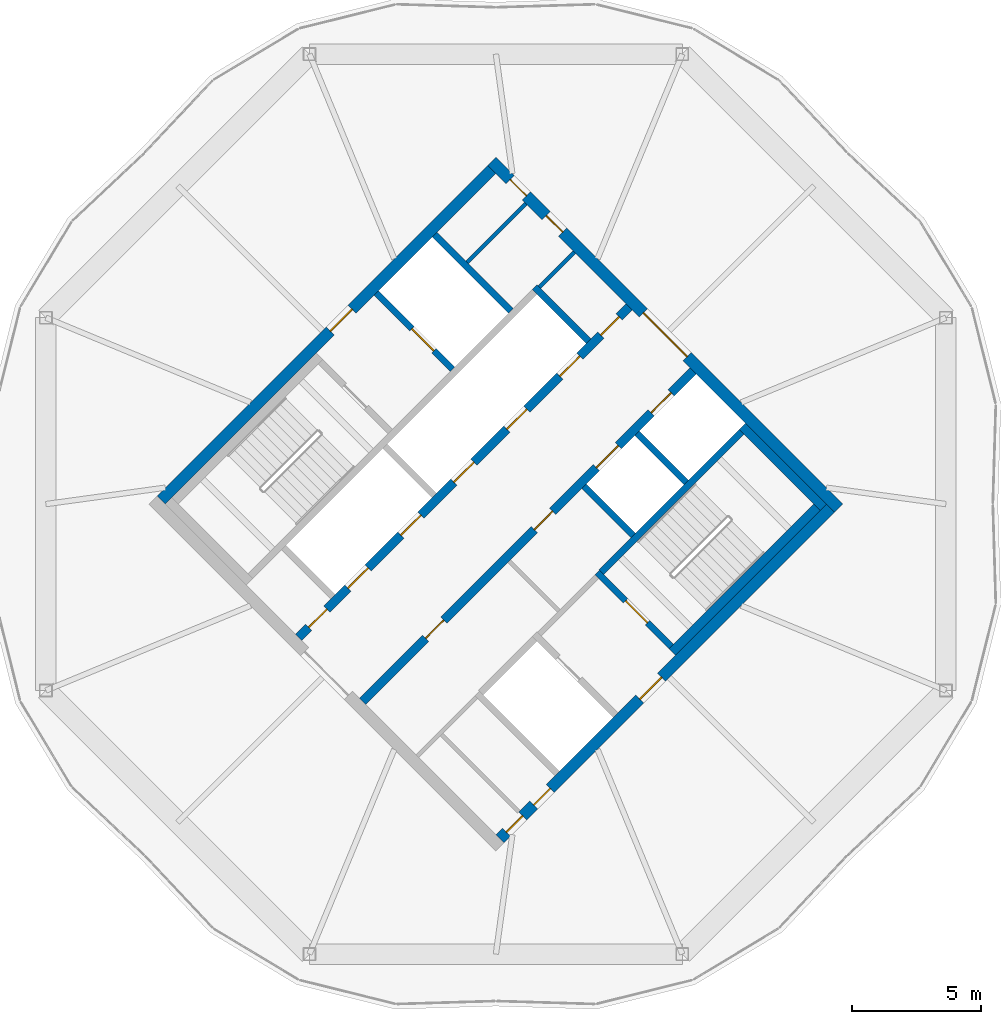
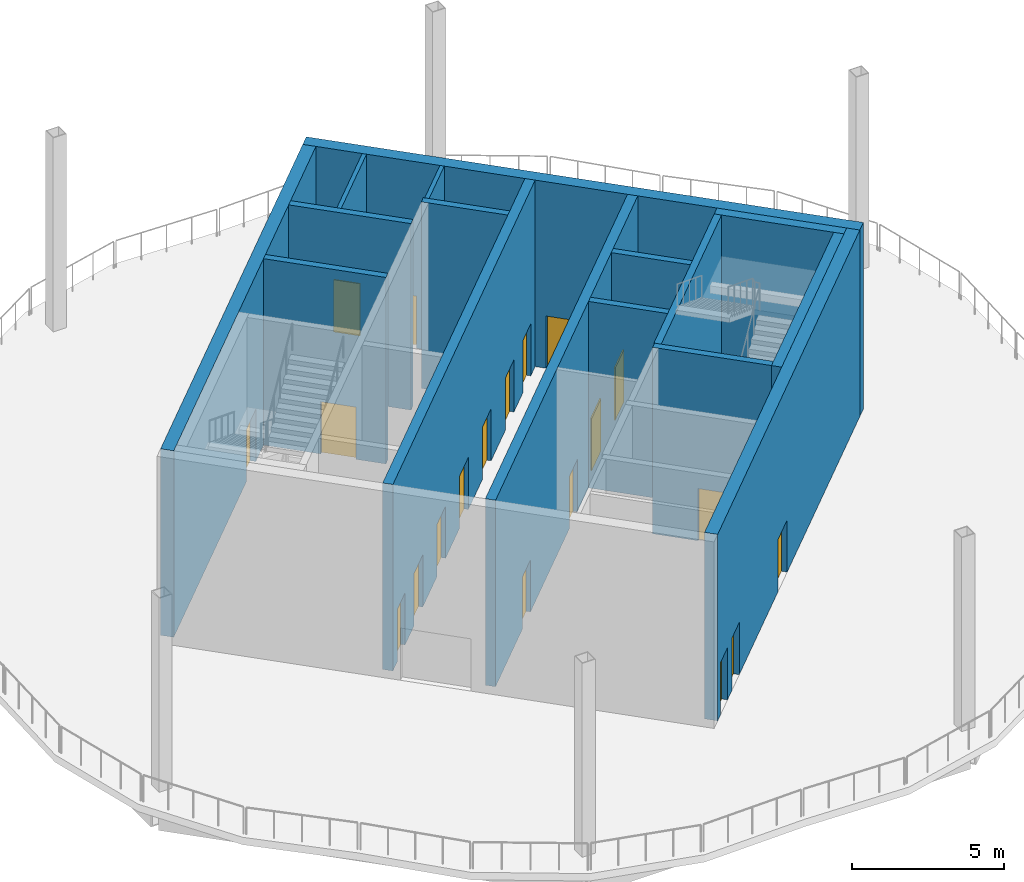
# One storey, part 7 of 12: 20 doors, 16 walls, 20 openings.
"""IFC4 building model written with IfcOpenShell, lengths in metres."""

from ifc_helpers import new_model, si_unit, direction, frame, frame_2d, origin, place, context, subcontext, project, spatial, rectangle, extrude, material, layer, layer_set, type_object, element, fill, save


model = new_model("IFC4")

# Units and contexts
model_context = context("Model", 3, precision=1e-05, world=origin(), true_north=direction((0.0, 1.0)))
body_context = subcontext(model_context, "Body", "Model", "MODEL_VIEW")
ifc_project = project(units=[si_unit("LENGTHUNIT", "METRE"), si_unit("AREAUNIT", "SQUARE_METRE"), si_unit("VOLUMEUNIT", "CUBIC_METRE"), si_unit("PLANEANGLEUNIT", "RADIAN"), si_unit("MASSUNIT", "GRAM", prefix="KILO")], contexts=[model_context])

# Site, building, storey
site_placement = place(None, origin())
site = spatial("IfcSite", under=ifc_project, at=site_placement, CompositionType="ELEMENT")
building_placement = place(site_placement, origin())
building = spatial("IfcBuilding", under=site, at=building_placement, Name="Ogive Gate Towers", CompositionType="ELEMENT")
storey_placement = place(building_placement, frame((0.0, 0.0, 248.39990234375)))
storey = spatial("IfcBuildingStorey", under=building, at=storey_placement, Name="L59", CompositionType="ELEMENT", Elevation=248.39990234375)

# Wall, openings, doors
ifc_material_1 = material(Name="Concrete C60/75", Category="concrete")
ifc_layer_1 = layer(ifc_material_1, 0.449951171875)
ifc_layer_set_1 = layer_set([ifc_layer_1], Name="Core wall 450 mm")
wall_type_1 = type_object("IfcWallType", Name="Core wall 450 mm", PredefinedType="SHEAR", material=ifc_layer_set_1)
wall_1_placement = place(storey_placement, frame((36.1591796875, -12.957763671875, 0.0), z_axis=(0.0, 0.0, 1.0), x_axis=(0.707106781187, 0.707106781187, 0.0)))
wall_1 = element("IfcWall", 1, at=wall_1_placement, inside=storey, type_object=wall_type_1, Name="T2 L59 Core wall 450 mm", PredefinedType="SHEAR", context=body_context, shape_type="SweptSolid", body=[
    extrude(rectangle(XDim=18.099853515625, YDim=0.449951171875, at=frame_2d((9.0498046875, 0.0))), origin(), (0.0, 0.0, 1.0), 7.5),
])
opening_1_placement = place(wall_1_placement, frame((7.64990234375, 0.0, 0.0)))
opening_1 = element("IfcOpeningElement", 2, at=opening_1_placement, cuts=wall_1, Name="Opening KD-T2-L59-19", PredefinedType="OPENING", context=body_context, shape_type="SweptSolid", body=[
    extrude(rectangle(XDim=1.199951171875, YDim=2.10009765625, at=frame_2d((0.60009765625, 1.050048828125))), frame((0.0, 0.23486328125, 0.0), z_axis=(0.0, -1.0, 0.0), x_axis=(1.0, 0.0, 0.0)), (0.0, 0.0, 1.0), 0.469970703125),
])
opening_2_placement = place(wall_1_placement, frame((0.35009765625, 0.0, 0.0)))
opening_2 = element("IfcOpeningElement", 3, at=opening_2_placement, cuts=wall_1, Name="Opening KD-T2-L59-22", PredefinedType="OPENING", context=body_context, shape_type="SweptSolid", body=[
    extrude(rectangle(XDim=0.89990234375, YDim=2.10009765625, at=frame_2d((0.449951171875, 1.050048828125))), frame((0.0, 0.23486328125, 0.0), z_axis=(0.0, -1.0, 0.0), x_axis=(1.0, 0.0, 0.0)), (0.0, 0.0, 1.0), 0.469970703125),
])
opening_3_placement = place(wall_1_placement, frame((1.85009765625, 0.0, 0.0)))
opening_3 = element("IfcOpeningElement", 4, at=opening_3_placement, cuts=wall_1, Name="Opening KD-T2-L59-23", PredefinedType="OPENING", context=body_context, shape_type="SweptSolid", body=[
    extrude(rectangle(XDim=0.89990234375, YDim=2.10009765625, at=frame_2d((0.449951171875, 1.050048828125))), frame((0.0, 0.23486328125, 0.0), z_axis=(0.0, -1.0, 0.0), x_axis=(1.0, 0.0, 0.0)), (0.0, 0.0, 1.0), 0.469970703125),
])
ifc_material_2 = material(Name="Steel fire door", Category="steel")
door_type_1 = type_object("IfcDoorType", Name="Core door FD60S 1200 x 2100", OperationType="NOTDEFINED", PredefinedType="DOOR", material=ifc_material_2)
door_1_placement = place(opening_1_placement, origin())
door_1 = element("IfcDoor", 5, at=door_1_placement, inside=storey, type_object=door_type_1, Name="T2 L59 Fire-fighting lobby door", OperationType="SINGLE_SWING_RIGHT", OverallHeight=2.10009765625, OverallWidth=1.199951171875, PredefinedType="DOOR", context=body_context, shape_type="SweptSolid", body=[
    extrude(rectangle(XDim=1.199951171875, YDim=2.10009765625, at=frame_2d((0.60009765625, 1.050048828125))), frame((0.0, 0.02490234375, 0.0), z_axis=(0.0, -1.0, 0.0), x_axis=(1.0, 0.0, 0.0)), (0.0, 0.0, 1.0), 0.050048828125),
])
fill(opening_1, door_1)
door_type_2 = type_object("IfcDoorType", Name="Core door FD60S 900 x 2100", OperationType="NOTDEFINED", PredefinedType="DOOR", material=ifc_material_2)
door_2_placement = place(opening_2_placement, origin())
door_2 = element("IfcDoor", 6, at=door_2_placement, inside=storey, type_object=door_type_2, Name="T2 L59 Core door", OperationType="SINGLE_SWING_LEFT", OverallHeight=2.10009765625, OverallWidth=0.89990234375, PredefinedType="DOOR", context=body_context, shape_type="SweptSolid", body=[
    extrude(rectangle(XDim=0.89990234375, YDim=2.10009765625, at=frame_2d((0.449951171875, 1.050048828125))), frame((0.0, 0.02490234375, 0.0), z_axis=(0.0, -1.0, 0.0), x_axis=(1.0, 0.0, 0.0)), (0.0, 0.0, 1.0), 0.050048828125),
])
fill(opening_2, door_2)
door_3_placement = place(opening_3_placement, origin())
door_3 = element("IfcDoor", 7, at=door_3_placement, inside=storey, type_object=door_type_2, Name="T2 L59 Core door", OperationType="SINGLE_SWING_RIGHT", OverallHeight=2.10009765625, OverallWidth=0.89990234375, PredefinedType="DOOR", context=body_context, shape_type="SweptSolid", body=[
    extrude(rectangle(XDim=0.89990234375, YDim=2.10009765625, at=frame_2d((0.449951171875, 1.050048828125))), frame((0.0, 0.02490234375, 0.0), z_axis=(0.0, -1.0, 0.0), x_axis=(1.0, 0.0, 0.0)), (0.0, 0.0, 1.0), 0.050048828125),
])
fill(opening_3, door_3)

# Wall, opening, door
wall_2_placement = place(storey_placement, frame((23.042236328125, 0.1591796875, 0.0), z_axis=(0.0, 0.0, 1.0), x_axis=(0.707106781187, 0.707106781187, 0.0)))
wall_2 = element("IfcWall", 8, at=wall_2_placement, inside=storey, type_object=wall_type_1, Name="T2 L59 Core wall 450 mm", PredefinedType="SHEAR", context=body_context, shape_type="SweptSolid", body=[
    extrude(rectangle(XDim=18.099853515625, YDim=0.449951171875, at=frame_2d((9.0498046875, 0.0))), origin(), (0.0, 0.0, 1.0), 7.5),
])
opening_4_placement = place(wall_2_placement, frame((9.25, 0.0, 0.0)))
opening_4 = element("IfcOpeningElement", 9, at=opening_4_placement, cuts=wall_2, Name="Opening KD-T2-L59-18", PredefinedType="OPENING", context=body_context, shape_type="SweptSolid", body=[
    extrude(rectangle(XDim=1.199951171875, YDim=2.10009765625, at=frame_2d((0.60009765625, 1.050048828125))), frame((0.0, 0.23486328125, 0.0), z_axis=(0.0, -1.0, 0.0), x_axis=(1.0, 0.0, 0.0)), (0.0, 0.0, 1.0), 0.469970703125),
])
door_4_placement = place(opening_4_placement, origin())
door_4 = element("IfcDoor", 10, at=door_4_placement, inside=storey, type_object=door_type_1, Name="T2 L59 Fire-fighting lobby door", OperationType="SINGLE_SWING_LEFT", OverallHeight=2.10009765625, OverallWidth=1.199951171875, PredefinedType="DOOR", context=body_context, shape_type="SweptSolid", body=[
    extrude(rectangle(XDim=1.199951171875, YDim=2.10009765625, at=frame_2d((0.60009765625, 1.050048828125))), frame((0.0, 0.02490234375, 0.0), z_axis=(0.0, -1.0, 0.0), x_axis=(1.0, 0.0, 0.0)), (0.0, 0.0, 1.0), 0.050048828125),
])
fill(opening_4, door_4)

# Wall, openings, doors
wall_3_placement = place(storey_placement, frame((49.27587890625, -0.1591796875, 0.0), z_axis=(0.0, 0.0, 1.0), x_axis=(-0.707106781187, 0.707106781187, 0.0)))
wall_3 = element("IfcWall", 11, at=wall_3_placement, inside=storey, type_object=wall_type_1, Name="T2 L59 Core wall 450 mm", PredefinedType="SHEAR", context=body_context, shape_type="SweptSolid", body=[
    extrude(rectangle(XDim=19.0, YDim=0.449951171875, at=frame_2d((9.5, 0.0))), origin(), (0.0, 0.0, 1.0), 7.5),
])
opening_5_placement = place(wall_3_placement, frame((8.300048828125, 0.0, 0.0)))
opening_5 = element("IfcOpeningElement", 12, at=opening_5_placement, cuts=wall_3, Name="Opening KD-T2-L59-02", PredefinedType="OPENING", context=body_context, shape_type="SweptSolid", body=[
    extrude(rectangle(XDim=2.39990234375, YDim=2.10009765625, at=frame_2d((1.199951171875, 1.050048828125))), frame((0.0, 0.23486328125, 0.0), z_axis=(0.0, -1.0, 0.0), x_axis=(1.0, 0.0, 0.0)), (0.0, 0.0, 1.0), 0.469970703125),
])
opening_6_placement = place(wall_3_placement, frame((15.125, 0.0, 0.0)))
opening_6 = element("IfcOpeningElement", 13, at=opening_6_placement, cuts=wall_3, Name="Opening KD-T2-L59-20", PredefinedType="OPENING", context=body_context, shape_type="SweptSolid", body=[
    extrude(rectangle(XDim=0.89990234375, YDim=2.10009765625, at=frame_2d((0.449951171875, 1.050048828125))), frame((0.0, 0.23486328125, 0.0), z_axis=(0.0, -1.0, 0.0), x_axis=(1.0, 0.0, 0.0)), (0.0, 0.0, 1.0), 0.469970703125),
])
opening_7_placement = place(wall_3_placement, frame((17.10009765625, 0.0, 0.0)))
opening_7 = element("IfcOpeningElement", 14, at=opening_7_placement, cuts=wall_3, Name="Opening KD-T2-L59-21", PredefinedType="OPENING", context=body_context, shape_type="SweptSolid", body=[
    extrude(rectangle(XDim=0.89990234375, YDim=2.10009765625, at=frame_2d((0.449951171875, 1.050048828125))), frame((0.0, 0.23486328125, 0.0), z_axis=(0.0, -1.0, 0.0), x_axis=(1.0, 0.0, 0.0)), (0.0, 0.0, 1.0), 0.469970703125),
])
door_5_placement = place(opening_6_placement, origin())
door_5 = element("IfcDoor", 15, at=door_5_placement, inside=storey, type_object=door_type_2, Name="T2 L59 Core door", OperationType="SINGLE_SWING_LEFT", OverallHeight=2.10009765625, OverallWidth=0.89990234375, PredefinedType="DOOR", context=body_context, shape_type="SweptSolid", body=[
    extrude(rectangle(XDim=0.89990234375, YDim=2.10009765625, at=frame_2d((0.449951171875, 1.050048828125))), frame((0.0, 0.02490234375, 0.0), z_axis=(0.0, -1.0, 0.0), x_axis=(1.0, 0.0, 0.0)), (0.0, 0.0, 1.0), 0.050048828125),
])
fill(opening_6, door_5)
door_6_placement = place(opening_7_placement, origin())
door_6 = element("IfcDoor", 16, at=door_6_placement, inside=storey, type_object=door_type_2, Name="T2 L59 Core door", OperationType="SINGLE_SWING_RIGHT", OverallHeight=2.10009765625, OverallWidth=0.89990234375, PredefinedType="DOOR", context=body_context, shape_type="SweptSolid", body=[
    extrude(rectangle(XDim=0.89990234375, YDim=2.10009765625, at=frame_2d((0.449951171875, 1.050048828125))), frame((0.0, 0.02490234375, 0.0), z_axis=(0.0, -1.0, 0.0), x_axis=(1.0, 0.0, 0.0)), (0.0, 0.0, 1.0), 0.050048828125),
])
fill(opening_7, door_6)
door_type_3 = type_object("IfcDoorType", Name="Core double door FD60S 2400 x 2100", OperationType="DOUBLE_DOOR_SINGLE_SWING", PredefinedType="DOOR", material=ifc_material_2)
door_7_placement = place(opening_5_placement, origin())
door_7 = element("IfcDoor", 17, at=door_7_placement, inside=storey, type_object=door_type_3, Name="T2 L59 Core door double", OperationType="DOUBLE_DOOR_SINGLE_SWING", OverallHeight=2.10009765625, OverallWidth=2.39990234375, PredefinedType="DOOR", context=body_context, shape_type="SweptSolid", body=[
    extrude(rectangle(XDim=2.39990234375, YDim=2.10009765625, at=frame_2d((1.199951171875, 1.050048828125))), frame((0.0, 0.02490234375, 0.0), z_axis=(0.0, -1.0, 0.0), x_axis=(1.0, 0.0, 0.0)), (0.0, 0.0, 1.0), 0.050048828125),
])
fill(opening_5, door_7)

# Walls
ifc_material_3 = material(Name="Gypsum board partition")
ifc_layer_2 = layer(ifc_material_3, 0.14990234375)
ifc_layer_set_2 = layer_set([ifc_layer_2], Name="Room partition 150 mm")
wall_type_2 = type_object("IfcWallType", Name="Room partition 150 mm", PredefinedType="PARTITIONING", material=ifc_layer_set_2)
wall_4_placement = place(storey_placement, frame((37.679443359375, 8.39697265625, 0.0), z_axis=(0.0, 0.0, 1.0), x_axis=(0.707106781187, 0.707106781187, 0.0)))
element("IfcWall", 18, at=wall_4_placement, inside=storey, type_object=wall_type_2, Name="T2 L59 Room partition 150 mm", PredefinedType="PARTITIONING", context=body_context, shape_type="SweptSolid", body=[
    extrude(rectangle(XDim=1.9248046875, YDim=0.14990234375, at=frame_2d((0.96240234375, 0.0))), origin(), (0.0, 0.0, 1.0), 7.5),
])
wall_5_placement = place(storey_placement, frame((34.88623046875, 9.3515625, 0.0), z_axis=(0.0, 0.0, 1.0), x_axis=(0.707144631829, 0.707068928518, 0.0)))
element("IfcWall", 19, at=wall_5_placement, inside=storey, type_object=wall_type_2, Name="T2 L59 Room partition 150 mm", PredefinedType="PARTITIONING", context=body_context, shape_type="SweptSolid", body=[
    extrude(rectangle(XDim=3.224853515625, YDim=0.14990234375, at=frame_2d((1.6123046875, 0.0))), origin(), (0.0, 0.0, 1.0), 7.5),
])
ifc_layer_3 = layer(ifc_material_1, 0.25)
ifc_layer_set_3 = layer_set([ifc_layer_3], Name="Shaft wall 250 mm")
wall_type_3 = type_object("IfcWallType", Name="Shaft wall 250 mm", PredefinedType="SHEAR", material=ifc_layer_set_3)
wall_6_placement = place(storey_placement, frame((40.08349609375, -2.634033203125, 0.0), z_axis=(0.0, 0.0, 1.0), x_axis=(0.707090876314, 0.707122685701, 0.0)))
element("IfcWall", 20, at=wall_6_placement, inside=storey, type_object=wall_type_3, Name="T2 L59 Shaft wall 250 mm", PredefinedType="SHEAR", context=body_context, shape_type="SweptSolid", body=[
    extrude(rectangle(XDim=7.675048828125, YDim=0.25, at=frame_2d((3.83740234375, 0.0))), origin(), (0.0, 0.0, 1.0), 7.5),
])

# Wall, opening, door
wall_7_placement = place(storey_placement, frame((42.7880859375, -5.515380859375, 0.0), z_axis=(0.0, 0.0, 1.0), x_axis=(-0.707106781187, 0.707106781187, 0.0)))
wall_7 = element("IfcWall", 21, at=wall_7_placement, inside=storey, type_object=wall_type_3, Name="T2 L59 Shaft wall 250 mm", PredefinedType="SHEAR", context=body_context, shape_type="SweptSolid", body=[
    extrude(rectangle(XDim=4.050048828125, YDim=0.25, at=frame_2d((2.02490234375, 0.0))), origin(), (0.0, 0.0, 1.0), 7.5),
])
opening_8_placement = place(wall_7_placement, frame((1.300048828125, 0.0, 0.0)))
opening_8 = element("IfcOpeningElement", 22, at=opening_8_placement, cuts=wall_7, Name="Opening KD-T2-L59-17", PredefinedType="OPENING", context=body_context, shape_type="SweptSolid", body=[
    extrude(rectangle(XDim=1.199951171875, YDim=2.10009765625, at=frame_2d((0.60009765625, 1.050048828125))), frame((0.0, 0.135009765625, 0.0), z_axis=(0.0, -1.0, 0.0), x_axis=(1.0, 0.0, 0.0)), (0.0, 0.0, 1.0), 0.27001953125),
])
door_8_placement = place(opening_8_placement, origin())
door_8 = element("IfcDoor", 23, at=door_8_placement, inside=storey, type_object=door_type_1, Name="T2 L59 Stair door", OperationType="SINGLE_SWING_RIGHT", OverallHeight=2.10009765625, OverallWidth=1.199951171875, PredefinedType="DOOR", context=body_context, shape_type="SweptSolid", body=[
    extrude(rectangle(XDim=1.199951171875, YDim=2.10009765625, at=frame_2d((0.60009765625, 1.050048828125))), frame((0.0, 0.02490234375, 0.0), z_axis=(0.0, -1.0, 0.0), x_axis=(1.0, 0.0, 0.0)), (0.0, 0.0, 1.0), 0.050048828125),
])
fill(opening_8, door_8)

wall_8_placement = place(storey_placement, frame((34.320556640625, 5.21484375, 0.0), z_axis=(0.0, 0.0, 1.0), x_axis=(-0.707106781187, 0.707106781187, 0.0)))
wall_8 = element("IfcWall", 24, at=wall_8_placement, inside=storey, type_object=wall_type_3, Name="T2 L59 Shaft wall 250 mm", PredefinedType="SHEAR", context=body_context, shape_type="SweptSolid", body=[
    extrude(rectangle(XDim=4.175048828125, YDim=0.25, at=frame_2d((2.08740234375, 0.0))), origin(), (0.0, 0.0, 1.0), 7.5),
])
opening_9_placement = place(wall_8_placement, frame((1.02490234375, 0.0, 0.0)))
opening_9 = element("IfcOpeningElement", 25, at=opening_9_placement, cuts=wall_8, Name="Opening LD-T2-L59-12", PredefinedType="OPENING", context=body_context, shape_type="SweptSolid", body=[
    extrude(rectangle(XDim=1.199951171875, YDim=2.10009765625, at=frame_2d((0.60009765625, 1.050048828125))), frame((0.0, 0.135009765625, 0.0), z_axis=(0.0, -1.0, 0.0), x_axis=(1.0, 0.0, 0.0)), (0.0, 0.0, 1.0), 0.27001953125),
])
ifc_material_4 = material(Name="Stainless steel landing door", Category="steel")
door_type_4 = type_object("IfcDoorType", Name="Landing door 1200 x 2100", OperationType="SLIDING_TO_LEFT", PredefinedType="DOOR", material=ifc_material_4)
door_9_placement = place(opening_9_placement, origin())
door_9 = element("IfcDoor", 26, at=door_9_placement, inside=storey, type_object=door_type_4, Name="T2 L59 Lift landing door FF1", OperationType="SLIDING_TO_LEFT", OverallHeight=2.10009765625, OverallWidth=1.199951171875, PredefinedType="DOOR", context=body_context, shape_type="SweptSolid", body=[
    extrude(rectangle(XDim=1.199951171875, YDim=2.10009765625, at=frame_2d((0.60009765625, 1.050048828125))), frame((0.0, 0.02490234375, 0.0), z_axis=(0.0, -1.0, 0.0), x_axis=(1.0, 0.0, 0.0)), (0.0, 0.0, 1.0), 0.050048828125),
])
fill(opening_9, door_9)

# Walls
wall_9_placement = place(storey_placement, frame((41.321044921875, -1.2197265625, 0.0), z_axis=(0.0, 0.0, 1.0), x_axis=(-0.707106781187, 0.707106781187, 0.0)))
element("IfcWall", 27, at=wall_9_placement, inside=storey, type_object=wall_type_3, Name="T2 L59 Shaft wall 250 mm", PredefinedType="SHEAR", context=body_context, shape_type="SweptSolid", body=[
    extrude(rectangle(XDim=2.699951171875, YDim=0.25, at=frame_2d((1.35009765625, 0.0))), origin(), (0.0, 0.0, 1.0), 7.5),
])
wall_10_placement = place(storey_placement, frame((36.58349609375, 7.477783203125, 0.0), z_axis=(0.0, 0.0, 1.0), x_axis=(-0.707165256008, 0.707048301529, 0.0)))
element("IfcWall", 28, at=wall_10_placement, inside=storey, type_object=wall_type_3, Name="T2 L59 Shaft wall 250 mm", PredefinedType="SHEAR", context=body_context, shape_type="SweptSolid", body=[
    extrude(rectangle(XDim=4.175048828125, YDim=0.25, at=frame_2d((2.08740234375, 0.0))), origin(), (0.0, 0.0, 1.0), 7.5),
])
wall_11_placement = place(storey_placement, frame((43.37158203125, 0.830810546875, 0.0), z_axis=(0.0, 0.0, 1.0), x_axis=(-0.707106781187, 0.707106781187, 0.0)))
element("IfcWall", 29, at=wall_11_placement, inside=storey, type_object=wall_type_3, Name="T2 L59 Shaft wall 250 mm", PredefinedType="SHEAR", context=body_context, shape_type="SweptSolid", body=[
    extrude(rectangle(XDim=2.699951171875, YDim=0.25, at=frame_2d((1.35009765625, 0.0))), origin(), (0.0, 0.0, 1.0), 7.5),
])
wall_12_placement = place(storey_placement, frame((39.588623046875, 6.310791015625, 0.0), z_axis=(0.0, 0.0, 1.0), x_axis=(-0.707065402085, 0.707148157867, 0.0)))
element("IfcWall", 30, at=wall_12_placement, inside=storey, type_object=wall_type_3, Name="T2 L59 Shaft wall 250 mm", PredefinedType="SHEAR", context=body_context, shape_type="SweptSolid", body=[
    extrude(rectangle(XDim=2.9501953125, YDim=0.25, at=frame_2d((1.47509765625, 0.0))), origin(), (0.0, 0.0, 1.0), 7.5),
])

# Wall, openings, doors
ifc_layer_4 = layer(ifc_material_1, 0.35009765625)
ifc_layer_set_4 = layer_set([ifc_layer_4], Name="Spine wall 350 mm")
wall_type_4 = type_object("IfcWallType", Name="Spine wall 350 mm", PredefinedType="SHEAR", material=ifc_layer_set_4)
wall_13_placement = place(storey_placement, frame((30.838134765625, -7.63671875, 0.0), z_axis=(0.0, 0.0, 1.0), x_axis=(0.707106781187, 0.707106781187, 0.0)))
wall_13 = element("IfcWall", 31, at=wall_13_placement, inside=storey, type_object=wall_type_4, Name="T2 L59 Spine wall 350 mm", PredefinedType="SHEAR", context=body_context, shape_type="SweptSolid", body=[
    extrude(rectangle(XDim=18.099853515625, YDim=0.35009765625, at=frame_2d((9.0498046875, 0.0))), origin(), (0.0, 0.0, 1.0), 7.5),
])
opening_10_placement = place(wall_13_placement, frame((12.800048828125, 0.0, 0.0)))
opening_10 = element("IfcOpeningElement", 32, at=opening_10_placement, cuts=wall_13, Name="Opening LD-T2-L59-10", PredefinedType="OPENING", context=body_context, shape_type="SweptSolid", body=[
    extrude(rectangle(XDim=1.199951171875, YDim=2.10009765625, at=frame_2d((0.60009765625, 1.050048828125))), frame((0.0, 0.18505859375, 0.0), z_axis=(0.0, -1.0, 0.0), x_axis=(1.0, 0.0, 0.0)), (0.0, 0.0, 1.0), 0.3701171875),
])
opening_11_placement = place(wall_13_placement, frame((15.800048828125, 0.0, 0.0)))
opening_11 = element("IfcOpeningElement", 33, at=opening_11_placement, cuts=wall_13, Name="Opening LD-T2-L59-11", PredefinedType="OPENING", context=body_context, shape_type="SweptSolid", body=[
    extrude(rectangle(XDim=1.10009765625, YDim=2.10009765625, at=frame_2d((0.550048828125, 1.050048828125))), frame((0.0, 0.18505859375, 0.0), z_axis=(0.0, -1.0, 0.0), x_axis=(1.0, 0.0, 0.0)), (0.0, 0.0, 1.0), 0.3701171875),
])
opening_12_placement = place(wall_13_placement, frame((3.449951171875, 0.0, 0.0)))
opening_12 = element("IfcOpeningElement", 34, at=opening_12_placement, cuts=wall_13, Name="Opening KD-T2-L59-14", PredefinedType="OPENING", context=body_context, shape_type="SweptSolid", body=[
    extrude(rectangle(XDim=1.0, YDim=2.10009765625, at=frame_2d((0.5, 1.050048828125))), frame((0.0, 0.18505859375, 0.0), z_axis=(0.0, -1.0, 0.0), x_axis=(1.0, 0.0, 0.0)), (0.0, 0.0, 1.0), 0.3701171875),
])
opening_13_placement = place(wall_13_placement, frame((9.39990234375, 0.0, 0.0)))
opening_13 = element("IfcOpeningElement", 35, at=opening_13_placement, cuts=wall_13, Name="Opening KD-T2-L59-15", PredefinedType="OPENING", context=body_context, shape_type="SweptSolid", body=[
    extrude(rectangle(XDim=1.0, YDim=2.10009765625, at=frame_2d((0.5, 1.050048828125))), frame((0.0, 0.18505859375, 0.0), z_axis=(0.0, -1.0, 0.0), x_axis=(1.0, 0.0, 0.0)), (0.0, 0.0, 1.0), 0.3701171875),
])
door_type_5 = type_object("IfcDoorType", Name="Core door FD60S 1000 x 2100", OperationType="NOTDEFINED", PredefinedType="DOOR", material=ifc_material_2)
door_10_placement = place(opening_12_placement, origin())
door_10 = element("IfcDoor", 36, at=door_10_placement, inside=storey, type_object=door_type_5, Name="T2 L59 Core door", OperationType="SINGLE_SWING_LEFT", OverallHeight=2.10009765625, OverallWidth=1.0, PredefinedType="DOOR", context=body_context, shape_type="SweptSolid", body=[
    extrude(rectangle(XDim=1.0, YDim=2.10009765625, at=frame_2d((0.5, 1.050048828125))), frame((0.0, 0.02490234375, 0.0), z_axis=(0.0, -1.0, 0.0), x_axis=(1.0, 0.0, 0.0)), (0.0, 0.0, 1.0), 0.050048828125),
])
fill(opening_12, door_10)
door_11_placement = place(opening_13_placement, origin())
door_11 = element("IfcDoor", 37, at=door_11_placement, inside=storey, type_object=door_type_5, Name="T2 L59 Core door", OperationType="SINGLE_SWING_RIGHT", OverallHeight=2.10009765625, OverallWidth=1.0, PredefinedType="DOOR", context=body_context, shape_type="SweptSolid", body=[
    extrude(rectangle(XDim=1.0, YDim=2.10009765625, at=frame_2d((0.5, 1.050048828125))), frame((0.0, 0.02490234375, 0.0), z_axis=(0.0, -1.0, 0.0), x_axis=(1.0, 0.0, 0.0)), (0.0, 0.0, 1.0), 0.050048828125),
])
fill(opening_13, door_11)
door_type_6 = type_object("IfcDoorType", Name="Landing door 1100 x 2100", OperationType="SLIDING_TO_LEFT", PredefinedType="DOOR", material=ifc_material_4)
door_12_placement = place(opening_11_placement, origin())
door_12 = element("IfcDoor", 38, at=door_12_placement, inside=storey, type_object=door_type_6, Name="T2 L59 Lift landing door B6", OperationType="SLIDING_TO_LEFT", OverallHeight=2.10009765625, OverallWidth=1.10009765625, PredefinedType="DOOR", context=body_context, shape_type="SweptSolid", body=[
    extrude(rectangle(XDim=1.10009765625, YDim=2.10009765625, at=frame_2d((0.550048828125, 1.050048828125))), frame((0.0, 0.02490234375, 0.0), z_axis=(0.0, -1.0, 0.0), x_axis=(1.0, 0.0, 0.0)), (0.0, 0.0, 1.0), 0.050048828125),
])
fill(opening_11, door_12)
door_13_placement = place(opening_10_placement, origin())
door_13 = element("IfcDoor", 39, at=door_13_placement, inside=storey, type_object=door_type_4, Name="T2 L59 Lift landing door SVC", OperationType="SLIDING_TO_LEFT", OverallHeight=2.10009765625, OverallWidth=1.199951171875, PredefinedType="DOOR", context=body_context, shape_type="SweptSolid", body=[
    extrude(rectangle(XDim=1.199951171875, YDim=2.10009765625, at=frame_2d((0.60009765625, 1.050048828125))), frame((0.0, 0.02490234375, 0.0), z_axis=(0.0, -1.0, 0.0), x_axis=(1.0, 0.0, 0.0)), (0.0, 0.0, 1.0), 0.050048828125),
])
fill(opening_10, door_13)

wall_14_placement = place(storey_placement, frame((28.36328125, -5.161865234375, 0.0), z_axis=(0.0, 0.0, 1.0), x_axis=(0.707106781187, 0.707106781187, 0.0)))
wall_14 = element("IfcWall", 40, at=wall_14_placement, inside=storey, type_object=wall_type_4, Name="T2 L59 Spine wall 350 mm", PredefinedType="SHEAR", context=body_context, shape_type="SweptSolid", body=[
    extrude(rectangle(XDim=18.099853515625, YDim=0.35009765625, at=frame_2d((9.0498046875, 0.0))), origin(), (0.0, 0.0, 1.0), 7.5),
])
opening_14_placement = place(wall_14_placement, frame((0.550048828125, 0.0, 0.0)))
opening_14 = element("IfcOpeningElement", 41, at=opening_14_placement, cuts=wall_14, Name="Opening KD-T2-L59-03", PredefinedType="OPENING", context=body_context, shape_type="SweptSolid", body=[
    extrude(rectangle(XDim=1.0, YDim=2.10009765625, at=frame_2d((0.5, 1.050048828125))), frame((0.0, 0.18505859375, 0.0), z_axis=(0.0, -1.0, 0.0), x_axis=(1.0, 0.0, 0.0)), (0.0, 0.0, 1.0), 0.3701171875),
])
opening_15_placement = place(wall_14_placement, frame((2.699951171875, 0.0, 0.0)))
opening_15 = element("IfcOpeningElement", 42, at=opening_15_placement, cuts=wall_14, Name="Opening LD-T2-L59-04", PredefinedType="OPENING", context=body_context, shape_type="SweptSolid", body=[
    extrude(rectangle(XDim=1.10009765625, YDim=2.10009765625, at=frame_2d((0.550048828125, 1.050048828125))), frame((0.0, 0.18505859375, 0.0), z_axis=(0.0, -1.0, 0.0), x_axis=(1.0, 0.0, 0.0)), (0.0, 0.0, 1.0), 0.3701171875),
])
opening_16_placement = place(wall_14_placement, frame((5.60009765625, 0.0, 0.0)))
opening_16 = element("IfcOpeningElement", 43, at=opening_16_placement, cuts=wall_14, Name="Opening LD-T2-L59-05", PredefinedType="OPENING", context=body_context, shape_type="SweptSolid", body=[
    extrude(rectangle(XDim=1.10009765625, YDim=2.10009765625, at=frame_2d((0.550048828125, 1.050048828125))), frame((0.0, 0.18505859375, 0.0), z_axis=(0.0, -1.0, 0.0), x_axis=(1.0, 0.0, 0.0)), (0.0, 0.0, 1.0), 0.3701171875),
])
opening_17_placement = place(wall_14_placement, frame((8.5, 0.0, 0.0)))
opening_17 = element("IfcOpeningElement", 44, at=opening_17_placement, cuts=wall_14, Name="Opening LD-T2-L59-06", PredefinedType="OPENING", context=body_context, shape_type="SweptSolid", body=[
    extrude(rectangle(XDim=1.10009765625, YDim=2.10009765625, at=frame_2d((0.550048828125, 1.050048828125))), frame((0.0, 0.18505859375, 0.0), z_axis=(0.0, -1.0, 0.0), x_axis=(1.0, 0.0, 0.0)), (0.0, 0.0, 1.0), 0.3701171875),
])
opening_18_placement = place(wall_14_placement, frame((11.39990234375, 0.0, 0.0)))
opening_18 = element("IfcOpeningElement", 45, at=opening_18_placement, cuts=wall_14, Name="Opening LD-T2-L59-07", PredefinedType="OPENING", context=body_context, shape_type="SweptSolid", body=[
    extrude(rectangle(XDim=1.10009765625, YDim=2.10009765625, at=frame_2d((0.550048828125, 1.050048828125))), frame((0.0, 0.18505859375, 0.0), z_axis=(0.0, -1.0, 0.0), x_axis=(1.0, 0.0, 0.0)), (0.0, 0.0, 1.0), 0.3701171875),
])
opening_19_placement = place(wall_14_placement, frame((14.300048828125, 0.0, 0.0)))
opening_19 = element("IfcOpeningElement", 46, at=opening_19_placement, cuts=wall_14, Name="Opening LD-T2-L59-08", PredefinedType="OPENING", context=body_context, shape_type="SweptSolid", body=[
    extrude(rectangle(XDim=1.10009765625, YDim=2.10009765625, at=frame_2d((0.550048828125, 1.050048828125))), frame((0.0, 0.18505859375, 0.0), z_axis=(0.0, -1.0, 0.0), x_axis=(1.0, 0.0, 0.0)), (0.0, 0.0, 1.0), 0.3701171875),
])
opening_20_placement = place(wall_14_placement, frame((16.550048828125, 0.0, 0.0)))
opening_20 = element("IfcOpeningElement", 47, at=opening_20_placement, cuts=wall_14, Name="Opening KD-T2-L59-09", PredefinedType="OPENING", context=body_context, shape_type="SweptSolid", body=[
    extrude(rectangle(XDim=1.0, YDim=2.10009765625, at=frame_2d((0.5, 1.050048828125))), frame((0.0, 0.18505859375, 0.0), z_axis=(0.0, -1.0, 0.0), x_axis=(1.0, 0.0, 0.0)), (0.0, 0.0, 1.0), 0.3701171875),
])
door_14_placement = place(opening_14_placement, origin())
door_14 = element("IfcDoor", 48, at=door_14_placement, inside=storey, type_object=door_type_5, Name="T2 L59 Core door", OperationType="SINGLE_SWING_RIGHT", OverallHeight=2.10009765625, OverallWidth=1.0, PredefinedType="DOOR", context=body_context, shape_type="SweptSolid", body=[
    extrude(rectangle(XDim=1.0, YDim=2.10009765625, at=frame_2d((0.5, 1.050048828125))), frame((0.0, 0.02490234375, 0.0), z_axis=(0.0, -1.0, 0.0), x_axis=(1.0, 0.0, 0.0)), (0.0, 0.0, 1.0), 0.050048828125),
])
fill(opening_14, door_14)
door_15_placement = place(opening_20_placement, origin())
door_15 = element("IfcDoor", 49, at=door_15_placement, inside=storey, type_object=door_type_5, Name="T2 L59 Core door", OperationType="SINGLE_SWING_RIGHT", OverallHeight=2.10009765625, OverallWidth=1.0, PredefinedType="DOOR", context=body_context, shape_type="SweptSolid", body=[
    extrude(rectangle(XDim=1.0, YDim=2.10009765625, at=frame_2d((0.5, 1.050048828125))), frame((0.0, 0.02490234375, 0.0), z_axis=(0.0, -1.0, 0.0), x_axis=(1.0, 0.0, 0.0)), (0.0, 0.0, 1.0), 0.050048828125),
])
fill(opening_20, door_15)
door_16_placement = place(opening_15_placement, origin())
door_16 = element("IfcDoor", 50, at=door_16_placement, inside=storey, type_object=door_type_6, Name="T2 L59 Lift landing door B1", OperationType="SLIDING_TO_LEFT", OverallHeight=2.10009765625, OverallWidth=1.10009765625, PredefinedType="DOOR", context=body_context, shape_type="SweptSolid", body=[
    extrude(rectangle(XDim=1.10009765625, YDim=2.10009765625, at=frame_2d((0.550048828125, 1.050048828125))), frame((0.0, 0.02490234375, 0.0), z_axis=(0.0, -1.0, 0.0), x_axis=(1.0, 0.0, 0.0)), (0.0, 0.0, 1.0), 0.050048828125),
])
fill(opening_15, door_16)
door_17_placement = place(opening_16_placement, origin())
door_17 = element("IfcDoor", 51, at=door_17_placement, inside=storey, type_object=door_type_6, Name="T2 L59 Lift landing door B2", OperationType="SLIDING_TO_LEFT", OverallHeight=2.10009765625, OverallWidth=1.10009765625, PredefinedType="DOOR", context=body_context, shape_type="SweptSolid", body=[
    extrude(rectangle(XDim=1.10009765625, YDim=2.10009765625, at=frame_2d((0.550048828125, 1.050048828125))), frame((0.0, 0.02490234375, 0.0), z_axis=(0.0, -1.0, 0.0), x_axis=(1.0, 0.0, 0.0)), (0.0, 0.0, 1.0), 0.050048828125),
])
fill(opening_16, door_17)
door_18_placement = place(opening_17_placement, origin())
door_18 = element("IfcDoor", 52, at=door_18_placement, inside=storey, type_object=door_type_6, Name="T2 L59 Lift landing door B3", OperationType="SLIDING_TO_LEFT", OverallHeight=2.10009765625, OverallWidth=1.10009765625, PredefinedType="DOOR", context=body_context, shape_type="SweptSolid", body=[
    extrude(rectangle(XDim=1.10009765625, YDim=2.10009765625, at=frame_2d((0.550048828125, 1.050048828125))), frame((0.0, 0.02490234375, 0.0), z_axis=(0.0, -1.0, 0.0), x_axis=(1.0, 0.0, 0.0)), (0.0, 0.0, 1.0), 0.050048828125),
])
fill(opening_17, door_18)
door_19_placement = place(opening_18_placement, origin())
door_19 = element("IfcDoor", 53, at=door_19_placement, inside=storey, type_object=door_type_6, Name="T2 L59 Lift landing door B4", OperationType="SLIDING_TO_LEFT", OverallHeight=2.10009765625, OverallWidth=1.10009765625, PredefinedType="DOOR", context=body_context, shape_type="SweptSolid", body=[
    extrude(rectangle(XDim=1.10009765625, YDim=2.10009765625, at=frame_2d((0.550048828125, 1.050048828125))), frame((0.0, 0.02490234375, 0.0), z_axis=(0.0, -1.0, 0.0), x_axis=(1.0, 0.0, 0.0)), (0.0, 0.0, 1.0), 0.050048828125),
])
fill(opening_18, door_19)
door_20_placement = place(opening_19_placement, origin())
door_20 = element("IfcDoor", 54, at=door_20_placement, inside=storey, type_object=door_type_6, Name="T2 L59 Lift landing door B5", OperationType="SLIDING_TO_LEFT", OverallHeight=2.10009765625, OverallWidth=1.10009765625, PredefinedType="DOOR", context=body_context, shape_type="SweptSolid", body=[
    extrude(rectangle(XDim=1.10009765625, YDim=2.10009765625, at=frame_2d((0.550048828125, 1.050048828125))), frame((0.0, 0.02490234375, 0.0), z_axis=(0.0, -1.0, 0.0), x_axis=(1.0, 0.0, 0.0)), (0.0, 0.0, 1.0), 0.050048828125),
])
fill(opening_19, door_20)

# Walls
ifc_layer_5 = layer(ifc_material_1, 0.35009765625)
ifc_layer_set_5 = layer_set([ifc_layer_5], Name="Stair wall 350 mm")
wall_type_5 = type_object("IfcWallType", Name="Stair wall 350 mm", PredefinedType="SHEAR", material=ifc_layer_set_5)
wall_15_placement = place(storey_placement, frame((42.823486328125, -5.7275390625, 0.0), z_axis=(0.0, 0.0, 1.0), x_axis=(0.707122184046, 0.707091377991, 0.0)))
element("IfcWall", 55, at=wall_15_placement, inside=storey, type_object=wall_type_5, Name="T2 L59 Stair wall 350 mm", PredefinedType="SHEAR", context=body_context, shape_type="SweptSolid", body=[
    extrude(rectangle(XDim=7.925048828125, YDim=0.35009765625, at=frame_2d((3.96240234375, 0.0))), origin(), (0.0, 0.0, 1.0), 7.5),
])
wall_16_placement = place(storey_placement, frame((48.6748046875, -0.123779296875, 0.0), z_axis=(0.0, 0.0, 1.0), x_axis=(-0.707106781187, 0.707106781187, 0.0)))
element("IfcWall", 56, at=wall_16_placement, inside=storey, type_object=wall_type_5, Name="T2 L59 Stair wall 350 mm", PredefinedType="SHEAR", context=body_context, shape_type="SweptSolid", body=[
    extrude(rectangle(XDim=4.425048828125, YDim=0.35009765625, at=frame_2d((2.21240234375, 0.0))), origin(), (0.0, 0.0, 1.0), 7.5),
])

save(model, "model.ifc")
